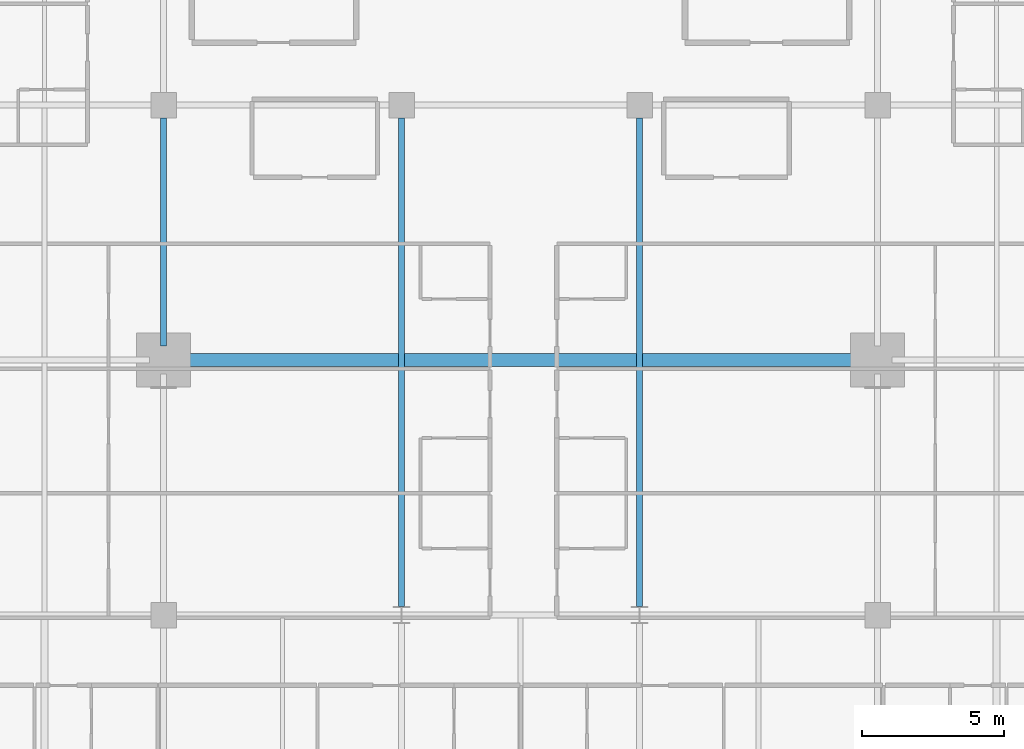
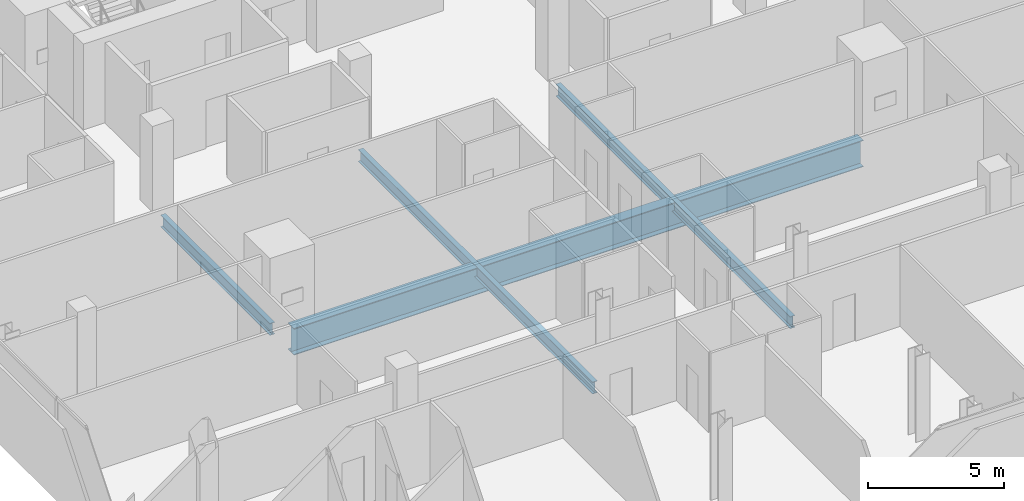
# One storey, part 11 of 34: 4 beams.
"""IFC4 building model written with IfcOpenShell, lengths in metres."""

import ifcopenshell
import ifcopenshell.guid

model = None  # the IFC model being written
_history = None  # IfcOwnerHistory: only IFC2X3 demands one
_inside = {}  # id of a spatial element -> (the spatial element, [elements in it])
_under = {}  # id of a project, library or spatial element -> (it, [spatial elements below it])
_declared = {}  # id of a project -> (the project, [libraries it declares])
_typed = {}  # id of a type object -> (the type object, [elements of that type])
_made_of = {}  # id of a material, layer set ... -> (it, [elements and type objects made of it])


def new_model(schema):
    """Start an empty IFC model of exactly this schema.

    Asked for "IFC4X3", IfcOpenShell would pick the latest addendum, in which some entities
    have other attributes; the version numbers below select the first issue.
    IFC2X3 requires an IfcOwnerHistory on every rooted entity: one is made here for all.
    """
    global model, _history
    if schema == "IFC4X3":
        model = ifcopenshell.file(schema_version=(4, 3, 0, 0))
    else:
        model = ifcopenshell.file(schema=schema)
    _inside.clear()
    _under.clear()
    _declared.clear()
    _typed.clear()
    _made_of.clear()
    _history = None
    if model.schema == "IFC2X3":
        org = make("IfcOrganization", Name="unknown")
        user = make(
            "IfcPersonAndOrganization",
            ThePerson=make("IfcPerson", FamilyName="unknown"),
            TheOrganization=org,
        )
        app = make(
            "IfcApplication",
            ApplicationDeveloper=org,
            Version="unknown",
            ApplicationFullName="unknown",
            ApplicationIdentifier="unknown",
        )
        _history = make(
            "IfcOwnerHistory",
            OwningUser=user,
            OwningApplication=app,
            ChangeAction="ADDED",
            CreationDate=0,
        )
    return model


def make(cls, **values):
    """One entity of the class cls with the attributes given. An attribute that is None is left unset."""
    return model.create_entity(
        cls, **{name: value for name, value in values.items() if value is not None}
    )


def rooted(cls, **values):
    """An entity with a GlobalId (a new one), such as an element, a storey or a relation."""
    return make(cls, GlobalId=ifcopenshell.guid.new(), OwnerHistory=_history, **values)


def si_unit(unit_type, name, prefix=None):
    """IfcSIUnit, for example si_unit("LENGTHUNIT", "METRE", prefix="MILLI")."""
    return make("IfcSIUnit", UnitType=unit_type, Prefix=prefix, Name=name)


def assignment(units):
    """IfcUnitAssignment: the units of a project."""
    return None if units is None else make("IfcUnitAssignment", Units=units)


def point(xyz):
    """IfcCartesianPoint."""
    return None if xyz is None else make("IfcCartesianPoint", Coordinates=xyz)


def direction(xyz):
    """IfcDirection."""
    return None if xyz is None else make("IfcDirection", DirectionRatios=xyz)


def frame(location, z_axis=None, x_axis=None):
    """IfcAxis2Placement3D, a coordinate frame: its origin and axes. An axis left out is left unset."""
    return make(
        "IfcAxis2Placement3D",
        Location=point(location),
        Axis=direction(z_axis),
        RefDirection=direction(x_axis),
    )


def frame_2d(location, x_axis=None):
    """IfcAxis2Placement2D, a coordinate frame in the plane: its origin and x axis."""
    return make(
        "IfcAxis2Placement2D", Location=point(location), RefDirection=direction(x_axis)
    )


def origin():
    """The frame at (0, 0, 0) with its axes left unset."""
    return frame((0.0, 0.0, 0.0))


def origin_2d():
    """The frame at (0, 0) in the plane with its x axis left unset."""
    return frame_2d((0.0, 0.0))


def place(relative_to, where):
    """IfcLocalPlacement: puts the frame where relative to a parent placement (None: the world)."""
    return make(
        "IfcLocalPlacement", PlacementRelTo=relative_to, RelativePlacement=where
    )


def context(
    kind, dimensions, precision=None, world=None, true_north=None, identifier=None
):
    """IfcGeometricRepresentationContext, for example the 3D "Model" context."""
    return make(
        "IfcGeometricRepresentationContext",
        ContextIdentifier=identifier,
        ContextType=kind,
        CoordinateSpaceDimension=dimensions,
        Precision=precision,
        WorldCoordinateSystem=world,
        TrueNorth=true_north,
    )


def subcontext(parent, identifier, kind, view, scale=None):
    """IfcGeometricRepresentationSubContext, for example "Body" below "Model"."""
    return make(
        "IfcGeometricRepresentationSubContext",
        ContextIdentifier=identifier,
        ContextType=kind,
        ParentContext=parent,
        TargetScale=scale,
        TargetView=view,
    )


def project(units=None, contexts=None):
    """IfcProject with its units and contexts."""
    return rooted(
        "IfcProject",
        Name="project",
        RepresentationContexts=contexts,
        UnitsInContext=assignment(units),
    )


def spatial(cls, under=None, at=None, **own):
    """A site, building, storey or space (cls), placed at a placement, below another one or the project."""
    s = rooted(cls, ObjectPlacement=at, **own)
    if under is not None:
        _under.setdefault(under.id(), (under, []))[1].append(s)
    return s


def profile(cls, at=None, kind="AREA", **sizes):
    """A parametric profile (cls). Its sizes go by their IFC names, for example OverallWidth=200.0."""
    return make(cls, ProfileType=kind, Position=at, **sizes)


def i_section(**sizes):
    """IfcIShapeProfileDef."""
    return profile("IfcIShapeProfileDef", **sizes)


def extrude(swept, where, along, depth):
    """IfcExtrudedAreaSolid: the profile swept, set in the frame where, extruded along a direction by depth."""
    return make(
        "IfcExtrudedAreaSolid",
        SweptArea=swept,
        Position=where,
        ExtrudedDirection=direction(along),
        Depth=depth,
    )


def shape(context_of_items, identifier, shape_type, items):
    """IfcShapeRepresentation: the items that make up one representation, for example the "Body"."""
    return make(
        "IfcShapeRepresentation",
        ContextOfItems=context_of_items,
        RepresentationIdentifier=identifier,
        RepresentationType=shape_type,
        Items=items,
    )


def material(Name=None, Category=None):
    """IfcMaterial."""
    return make("IfcMaterial", Name=Name, Category=Category)


def material_profile(
    of_material, cross_section, Name=None, Category=None, Priority=None
):
    """IfcMaterialProfile: a cross section and its material."""
    return make(
        "IfcMaterialProfile",
        Name=Name,
        Material=of_material,
        Profile=cross_section,
        Priority=Priority,
        Category=Category,
    )


def profile_set(profiles, Name=None, composite=None):
    """IfcMaterialProfileSet."""
    return make(
        "IfcMaterialProfileSet",
        Name=Name,
        MaterialProfiles=profiles,
        CompositeProfile=composite,
    )


def made_of(thing, what):
    """Note that an element or type object is made of a material, layer set ...; save() writes the relation."""
    if what is not None:
        _made_of.setdefault(what.id(), (what, []))[1].append(thing)
    return thing


def type_object(cls, material=None, **own):
    """A type object (cls), such as IfcWallType, which elements share."""
    return made_of(rooted(cls, **own), material)


def element(
    cls,
    number,
    at=None,
    inside=None,
    cuts=None,
    type_object=None,
    material=None,
    context=None,
    identifier="Body",
    shape_type=None,
    held_by="IfcProductDefinitionShape",
    body=None,
    shapes=None,
    **own,
):
    """One element of the class cls, such as IfcWall. Its Tag is "e" and its number.

    at: its placement. inside: the storey or other place that contains it. cuts: it is an
    opening in that element (IfcRelVoidsElement). A single representation is given by context,
    identifier, shape_type and body (its items); several are given by shapes. held_by: the class
    of the entity that holds the representations. save() writes the other relations.
    """
    e = rooted(cls, Tag="e%d" % number, ObjectPlacement=at, **own)
    if body is not None:
        shapes = [shape(context, identifier, shape_type, body)]
    if shapes is not None:
        e.Representation = make(held_by, Representations=shapes)
    if inside is not None:
        _inside.setdefault(inside.id(), (inside, []))[1].append(e)
    if cuts is not None:
        rooted(
            "IfcRelVoidsElement", RelatingBuildingElement=cuts, RelatedOpeningElement=e
        )
    if type_object is not None:
        _typed.setdefault(type_object.id(), (type_object, []))[1].append(e)
    return made_of(e, material)


def aggregate(whole, parts):
    """IfcRelAggregates: a whole, such as a stair, and the parts it consists of."""
    return rooted("IfcRelAggregates", RelatingObject=whole, RelatedObjects=parts)


def save(model, path):
    """Write the relations noted so far, then the file.

    IfcRelAggregates (storeys below a building ...), IfcRelContainedInSpatialStructure (elements
    in a storey), IfcRelDefinesByType, IfcRelAssociatesMaterial and IfcRelDeclares: one each for
    every whole, place, type object, material and project.
    """
    for whole, parts in _under.values():
        aggregate(whole, parts)
    for where, things in _inside.values():
        rooted(
            "IfcRelContainedInSpatialStructure",
            RelatedElements=things,
            RelatingStructure=where,
        )
    for kind, things in _typed.values():
        rooted("IfcRelDefinesByType", RelatedObjects=things, RelatingType=kind)
    for what, things in _made_of.values():
        rooted("IfcRelAssociatesMaterial", RelatedObjects=things, RelatingMaterial=what)
    for by, libraries in _declared.values():
        rooted("IfcRelDeclares", RelatingContext=by, RelatedDefinitions=libraries)
    model.write(path)


model = new_model("IFC4")

# Units and contexts
model_context = context("Model", 3, precision=1e-05, world=origin(), true_north=direction((0.0, 1.0)))
body_context = subcontext(model_context, "Body", "Model", "MODEL_VIEW")
ifc_project = project(units=[si_unit("LENGTHUNIT", "METRE"), si_unit("AREAUNIT", "SQUARE_METRE"), si_unit("VOLUMEUNIT", "CUBIC_METRE"), si_unit("PLANEANGLEUNIT", "RADIAN"), si_unit("MASSUNIT", "GRAM", prefix="KILO")], contexts=[model_context])

# Site, building, storey
site_placement = place(None, origin())
site = spatial("IfcSite", under=ifc_project, at=site_placement, CompositionType="ELEMENT")
building_placement = place(site_placement, origin())
building = spatial("IfcBuilding", under=site, at=building_placement, Name="Maruvema Waterfront Hotel and Observation Tower", CompositionType="ELEMENT")
storey_placement = place(building_placement, frame((0.0, 0.0, 212.10009765625)))
storey = spatial("IfcBuildingStorey", under=building, at=storey_placement, Name="L52", CompositionType="ELEMENT", Elevation=212.10009765625)

# Beams
ifc_material_1 = material(Name="Steel ASTM A572 Grade 50", Category="steel")
ifc_material_profile_1 = material_profile(ifc_material_1, i_section(OverallWidth=0.2109375, OverallDepth=0.5390625, WebThickness=0.01171875, FlangeThickness=0.018798828125, FilletRadius=0.014892578125, at=origin_2d()), Name="W530x109.0")
ifc_profile_set_1 = profile_set([ifc_material_profile_1], Name="Steel ASTM A572 Grade 50")
beam_type_1 = type_object("IfcBeamType", Name="Primary Floor Girder W530x109.0", PredefinedType="BEAM", material=ifc_profile_set_1)
beam_1_placement = place(storey_placement, frame((25.199951171875, 27.5, -0.509521484375), z_axis=(0.0, 1.0, 0.0), x_axis=(-1.0, 0.0, 0.0)))
element("IfcBeam", 1, at=beam_1_placement, inside=storey, type_object=beam_type_1, Name="L52 Floor Girder NS-12", PredefinedType="BEAM", context=body_context, shape_type="SweptSolid", body=[
    extrude(i_section(OverallWidth=0.2109375, OverallDepth=0.5390625, WebThickness=0.01171875, FlangeThickness=0.018798828125, FilletRadius=0.014892578125, at=origin_2d()), origin(), (0.0, 0.0, 1.0), 8.050048828125),
])
for number, where, z_axis, x_axis, name in (
    (2, (33.60009765625, 18.300048828125, -0.509521484375), (0.0, 1.0, 0.0), (-1.0, 0.0, 0.0), "L52 Floor Girder NS-16"),
    (3, (42.0, 18.300048828125, -0.509521484375), (0.0, 1.0, 0.0), (-1.0, 0.0, 0.0), "L52 Floor Girder NS-19"),
):
    element("IfcBeam", number, at=place(storey_placement, frame(where, z_axis=z_axis, x_axis=x_axis)), inside=storey, type_object=beam_type_1, Name=name, PredefinedType="BEAM", context=body_context, shape_type="SweptSolid", body=[
        extrude(i_section(OverallWidth=0.2109375, OverallDepth=0.5390625, WebThickness=0.01171875, FlangeThickness=0.018798828125, FilletRadius=0.014892578125, at=origin_2d()), origin(), (0.0, 0.0, 1.0), 17.25),
    ])
ifc_material_2 = material(Name="Steel ABNT NBR 7007 AR 415 (ASTM A572 Grade 50)", Category="steel")
ifc_material_profile_2 = material_profile(ifc_material_2, i_section(OverallWidth=0.449951171875, OverallDepth=1.199951171875, WebThickness=0.01904296875, FlangeThickness=0.031982421875, at=origin_2d()), Name="VS1200x366")
ifc_profile_set_2 = profile_set([ifc_material_profile_2], Name="Steel ABNT NBR 7007 AR 415 (ASTM A572 Grade 50)")
beam_type_2 = type_object("IfcBeamType", Name="Upper Setback Transfer Girder VS1200x366", PredefinedType="USERDEFINED", material=ifc_profile_set_2)
beam_2_placement = place(storey_placement, frame((25.699951171875, 27.0, -0.840087890625), z_axis=(1.0, 0.0, 0.0), x_axis=(0.0, 1.0, 0.0)))
element("IfcBeam", 4, at=beam_2_placement, inside=storey, type_object=beam_type_2, Name="L52 Floor Girder EW-20", ObjectType="TRANSFER GIRDER", PredefinedType="USERDEFINED", context=body_context, shape_type="SweptSolid", body=[
    extrude(i_section(OverallWidth=0.449951171875, OverallDepth=1.199951171875, WebThickness=0.01904296875, FlangeThickness=0.031982421875, at=origin_2d()), origin(), (0.0, 0.0, 1.0), 24.199951171875),
])

save(model, "model.ifc")
